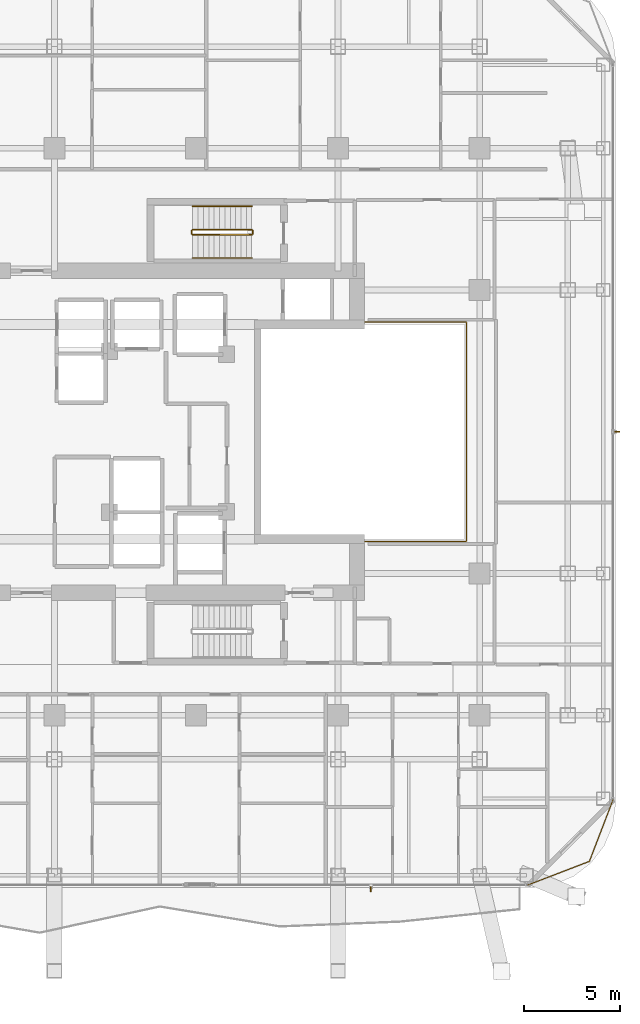
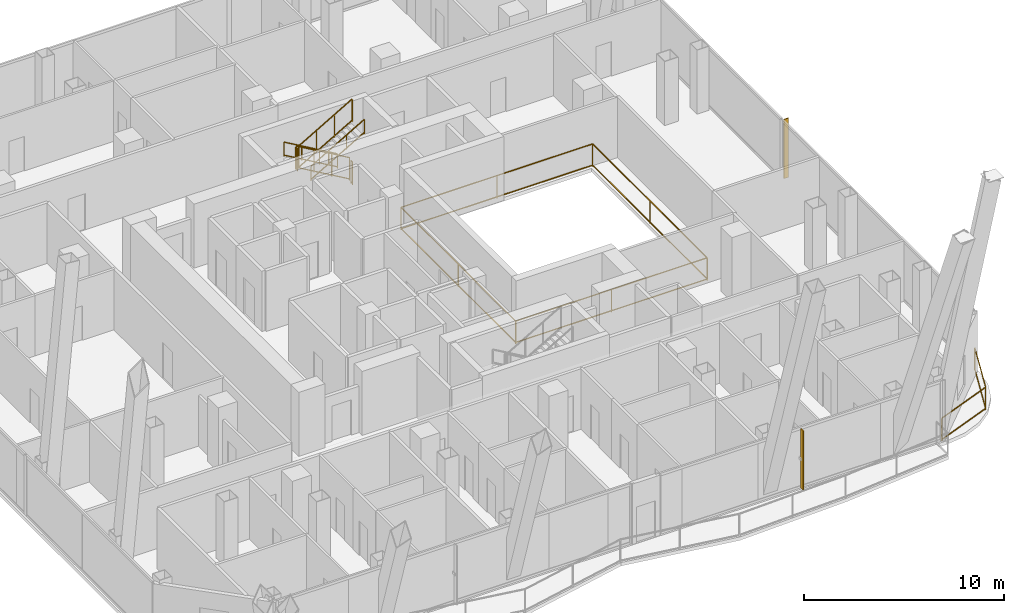
# One storey, part 31 of 34: 8 railings, 2 shading devices.
"""IFC4 building model written with IfcOpenShell, lengths in metres."""

from ifc_helpers import new_model, si_unit, direction, frame, origin, origin_2d, place, context, subcontext, project, spatial, rectangle, extrude, material, layer, layer_set, type_object, element, save


model = new_model("IFC4")

# Units and contexts
model_context = context("Model", 3, precision=1e-05, world=origin(), true_north=direction((0.0, 1.0)))
body_context = subcontext(model_context, "Body", "Model", "MODEL_VIEW")
ifc_project = project(units=[si_unit("LENGTHUNIT", "METRE"), si_unit("AREAUNIT", "SQUARE_METRE"), si_unit("VOLUMEUNIT", "CUBIC_METRE"), si_unit("PLANEANGLEUNIT", "RADIAN"), si_unit("MASSUNIT", "GRAM", prefix="KILO")], contexts=[model_context])

# Site, building, storey
site_placement = place(None, origin())
site = spatial("IfcSite", under=ifc_project, at=site_placement, CompositionType="ELEMENT")
building_placement = place(site_placement, origin())
building = spatial("IfcBuilding", under=site, at=building_placement, Name="Khorvyn Point Tower", CompositionType="ELEMENT")
storey_placement = place(building_placement, frame((0.0, 0.0, 175.800048828125)))
storey = spatial("IfcBuildingStorey", under=building, at=storey_placement, Name="L43", CompositionType="ELEMENT", Elevation=175.800048828125)

# Railings
ifc_material_1 = material(Name="Stainless steel 1.4401 and laminated glass", Category="steel")
railing_type_1 = type_object("IfcRailingType", Name="Crystal Atrium Smoke-Rated Perimeter Guardrail 1400", PredefinedType="GUARDRAIL", material=ifc_material_1)
railing_1_placement = place(storey_placement, frame((3.080078125, -5.719970703125, 0.0)))
element("IfcRailing", 1, at=railing_1_placement, inside=storey, type_object=railing_type_1, Name="L43 Crystal Atrium Perimeter Guardrail", PredefinedType="GUARDRAIL", context=body_context, shape_type="SweptSolid", body=[
    extrude(rectangle(XDim=0.048095703125, YDim=0.048095703125, at=origin_2d()), frame((0.0, 0.0, 1.3759765625), z_axis=(1.0, 0.0, 0.0), x_axis=(0.0, 1.0, 0.0)), (0.0, 0.0, 1.0), 11.0400390625),
    extrude(rectangle(XDim=0.048095703125, YDim=0.048095703125, at=origin_2d()), frame((0.0, 0.0, 0.080078125), z_axis=(1.0, 0.0, 0.0), x_axis=(0.0, 1.0, 0.0)), (0.0, 0.0, 1.0), 11.0400390625),
    extrude(rectangle(XDim=0.048095703125, YDim=0.048095703125, at=origin_2d()), frame((11.0400390625, 0.0, 1.3759765625), z_axis=(0.0, 1.0, 0.0), x_axis=(-1.0, 0.0, 0.0)), (0.0, 0.0, 1.0), 11.43994140625),
    extrude(rectangle(XDim=0.048095703125, YDim=0.048095703125, at=origin_2d()), frame((11.0400390625, 0.0, 0.080078125), z_axis=(0.0, 1.0, 0.0), x_axis=(-1.0, 0.0, 0.0)), (0.0, 0.0, 1.0), 11.43994140625),
    extrude(rectangle(XDim=0.048095703125, YDim=0.048095703125, at=origin_2d()), frame((11.0400390625, 11.43994140625, 1.3759765625), z_axis=(-1.0, 0.0, 0.0), x_axis=(0.0, -1.0, 0.0)), (0.0, 0.0, 1.0), 11.0400390625),
    extrude(rectangle(XDim=0.048095703125, YDim=0.048095703125, at=origin_2d()), frame((11.0400390625, 11.43994140625, 0.080078125), z_axis=(-1.0, 0.0, 0.0), x_axis=(0.0, -1.0, 0.0)), (0.0, 0.0, 1.0), 11.0400390625),
    extrude(rectangle(XDim=0.048095703125, YDim=0.048095703125, at=origin_2d()), frame((0.0, 11.43994140625, 1.3759765625), z_axis=(0.0, -1.0, 0.0), x_axis=(1.0, 0.0, 0.0)), (0.0, 0.0, 1.0), 11.409912109375),
    extrude(rectangle(XDim=0.048095703125, YDim=0.048095703125, at=origin_2d()), frame((0.0, 11.43994140625, 0.080078125), z_axis=(0.0, -1.0, 0.0), x_axis=(1.0, 0.0, 0.0)), (0.0, 0.0, 1.0), 11.409912109375),
    extrude(rectangle(XDim=0.0419921875, YDim=0.0419921875, at=origin_2d()), origin(), (0.0, 0.0, 1.0), 1.351806640625),
    extrude(rectangle(XDim=0.0419921875, YDim=0.0419921875, at=origin_2d()), frame((5.52001953125, 0.0, 0.0)), (0.0, 0.0, 1.0), 1.351806640625),
    extrude(rectangle(XDim=0.0419921875, YDim=0.0419921875, at=origin_2d()), frame((11.0400390625, 0.0, 0.0)), (0.0, 0.0, 1.0), 1.351806640625),
    extrude(rectangle(XDim=0.0419921875, YDim=0.0419921875, at=origin_2d()), frame((11.0400390625, 5.719970703125, 0.0)), (0.0, 0.0, 1.0), 1.351806640625),
    extrude(rectangle(XDim=0.0419921875, YDim=0.0419921875, at=origin_2d()), frame((11.0400390625, 11.43994140625, 0.0)), (0.0, 0.0, 1.0), 1.351806640625),
    extrude(rectangle(XDim=0.0419921875, YDim=0.0419921875, at=origin_2d()), frame((5.52001953125, 11.43994140625, 0.0)), (0.0, 0.0, 1.0), 1.351806640625),
    extrude(rectangle(XDim=0.0419921875, YDim=0.0419921875, at=origin_2d()), frame((0.0, 11.43994140625, 0.0)), (0.0, 0.0, 1.0), 1.351806640625),
    extrude(rectangle(XDim=0.0419921875, YDim=0.0419921875, at=origin_2d()), frame((0.0, 5.73486328125, 0.0)), (0.0, 0.0, 1.0), 1.351806640625),
    extrude(rectangle(XDim=0.0419921875, YDim=0.0419921875, at=origin_2d()), frame((0.0, 0.030029296875, 0.0)), (0.0, 0.0, 1.0), 1.351806640625),
])
ifc_material_2 = material(Name="Anodised aluminium 6063-T6 and laminated safety glass", Category="aluminium")
railing_type_2 = type_object("IfcRailingType", Name="Laminated Glass and Aluminium Balcony Guardrail 1400", PredefinedType="BALUSTRADE", material=ifc_material_2)
railing_2_placement = place(storey_placement, frame((17.27587890625, -23.674072265625, 0.0)))
element("IfcRailing", 2, at=railing_2_placement, inside=storey, type_object=railing_type_2, Name="L43 Rounded Corner Edge Guardrail SE", PredefinedType="BALUSTRADE", context=body_context, shape_type="SweptSolid", body=[
    extrude(rectangle(XDim=0.048095703125, YDim=0.048095703125, at=origin_2d()), frame((0.0, 0.0, 1.3759765625), z_axis=(0.933598390295, 0.358321148746, 0.0), x_axis=(-0.358321148746, 0.933598390295, 0.0)), (0.0, 0.0, 1.0), 3.481689453125),
    extrude(rectangle(XDim=0.048095703125, YDim=0.048095703125, at=origin_2d()), frame((0.0, 0.0, 0.080078125), z_axis=(0.933598390295, 0.358321148746, 0.0), x_axis=(-0.358321148746, 0.933598390295, 0.0)), (0.0, 0.0, 1.0), 3.481689453125),
    extrude(rectangle(XDim=0.048095703125, YDim=0.048095703125, at=origin_2d()), frame((3.25048828125, 1.24755859375, 1.3759765625), z_axis=(0.358382264808, 0.933574931257, 0.0), x_axis=(-0.933574931257, 0.358382264808, 0.0)), (0.0, 0.0, 1.0), 3.481689453125),
    extrude(rectangle(XDim=0.048095703125, YDim=0.048095703125, at=origin_2d()), frame((3.25048828125, 1.24755859375, 0.080078125), z_axis=(0.358382264808, 0.933574931257, 0.0), x_axis=(-0.933574931257, 0.358382264808, 0.0)), (0.0, 0.0, 1.0), 3.481689453125),
    extrude(rectangle(XDim=0.0419921875, YDim=0.0419921875, at=origin_2d()), origin(), (0.0, 0.0, 1.0), 1.351806640625),
    extrude(rectangle(XDim=0.0419921875, YDim=0.0419921875, at=origin_2d()), frame((3.25048828125, 1.24755859375, 0.0)), (0.0, 0.0, 1.0), 1.351806640625),
    extrude(rectangle(XDim=0.0419921875, YDim=0.0419921875, at=origin_2d()), frame((4.498291015625, 4.498046875, 0.0)), (0.0, 0.0, 1.0), 1.351806640625),
])

# Shading devices
ifc_material_3 = material(Name="Pale anodised aluminium 6063-T6", Category="aluminium")
ifc_layer = layer(ifc_material_3, 0.054931640625)
ifc_layer_set = layer_set([ifc_layer], Name="Pale Anodised Aluminium FIN 260x55")
shading_device_type = type_object("IfcShadingDeviceType", Name="Pale Anodised Aluminium FIN 260x55", PredefinedType="USERDEFINED", material=ifc_layer_set)
for number, where, z_axis, x_axis, name in (
    (3, (9.12353515625, -23.8701171875, 0.039794921875), (0.0, 0.0, 1.0), (0.0, -1.0, 0.0), "L43 Anodised FIN 01"),
    (4, (21.969970703125, 0.0, 0.039794921875), (0.0, 0.0, 1.0), (1.0, 0.0, 0.0), "L43 Anodised FIN 01"),
):
    element("IfcShadingDevice", number, at=place(storey_placement, frame(where, z_axis=z_axis, x_axis=x_axis)), inside=storey, type_object=shading_device_type, Name=name, ObjectType="FIN", PredefinedType="USERDEFINED", context=body_context, shape_type="SweptSolid", body=[
        extrude(rectangle(XDim=0.260009765625, YDim=0.054931640625, at=origin_2d()), origin(), (0.0, 0.0, 1.0), 3.60009765625),
    ])

# Railings
ifc_material_4 = material(Name="Stainless steel 1.4301", Category="steel")
railing_type_3 = type_object("IfcRailingType", Name="Stainless Steel 304 Stair Pitch Handrail 900", PredefinedType="HANDRAIL", material=ifc_material_4)
railing_3_placement = place(storey_placement, frame((2.89990234375, 11.77001953125, 0.162353515625)))
element("IfcRailing", 5, at=railing_3_placement, inside=storey, type_object=railing_type_3, Name="L43 ST-02 stair handrail 1", PredefinedType="HANDRAIL", context=body_context, shape_type="SweptSolid", body=[
    extrude(rectangle(XDim=0.048095703125, YDim=0.048095703125, at=origin_2d()), frame((0.0, 0.0, 0.8759765625), z_axis=(-0.864873446163, 0.0, 0.501989962173), x_axis=(0.0, -1.0, 0.0)), (0.0, 0.0, 1.0), 3.56103515625),
    extrude(rectangle(XDim=0.048095703125, YDim=0.048095703125, at=origin_2d()), frame((0.0, 0.0, 0.080078125), z_axis=(-0.864873446163, 0.0, 0.501989962173), x_axis=(0.0, -1.0, 0.0)), (0.0, 0.0, 1.0), 3.56103515625),
    extrude(rectangle(XDim=0.0419921875, YDim=0.0419921875, at=origin_2d()), origin(), (0.0, 0.0, 1.0), 0.851806640625),
    extrude(rectangle(XDim=0.0419921875, YDim=0.0419921875, at=origin_2d()), frame((-1.026611328125, 0.0, 0.595947265625)), (0.0, 0.0, 1.0), 0.851806640625),
    extrude(rectangle(XDim=0.0419921875, YDim=0.0419921875, at=origin_2d()), frame((-2.05322265625, 0.0, 1.191650390625)), (0.0, 0.0, 1.0), 0.851806640625),
    extrude(rectangle(XDim=0.0419921875, YDim=0.0419921875, at=origin_2d()), frame((-3.079833984375, 0.0, 1.78759765625)), (0.0, 0.0, 1.0), 0.851806640625),
])
railing_4_placement = place(storey_placement, frame((-0.179931640625, 9.070068359375, 2.112548828125)))
element("IfcRailing", 6, at=railing_4_placement, inside=storey, type_object=railing_type_3, Name="L43 ST-02 stair handrail 2", PredefinedType="HANDRAIL", context=body_context, shape_type="SweptSolid", body=[
    extrude(rectangle(XDim=0.048095703125, YDim=0.048095703125, at=origin_2d()), frame((0.0, 0.0, 0.8759765625), z_axis=(0.864903211148, 0.0, 0.501938676878), x_axis=(0.0, 1.0, 0.0)), (0.0, 0.0, 1.0), 3.560791015625),
    extrude(rectangle(XDim=0.048095703125, YDim=0.048095703125, at=origin_2d()), frame((0.0, 0.0, 0.080078125), z_axis=(0.864903211148, 0.0, 0.501938676878), x_axis=(0.0, 1.0, 0.0)), (0.0, 0.0, 1.0), 3.560791015625),
    extrude(rectangle(XDim=0.0419921875, YDim=0.0419921875, at=origin_2d()), origin(), (0.0, 0.0, 1.0), 0.851806640625),
    extrude(rectangle(XDim=0.0419921875, YDim=0.0419921875, at=origin_2d()), frame((1.026611328125, 0.0, 0.595703125)), (0.0, 0.0, 1.0), 0.851806640625),
    extrude(rectangle(XDim=0.0419921875, YDim=0.0419921875, at=origin_2d()), frame((2.05322265625, 0.0, 1.191650390625)), (0.0, 0.0, 1.0), 0.851806640625),
    extrude(rectangle(XDim=0.0419921875, YDim=0.0419921875, at=origin_2d()), frame((3.079833984375, 0.0, 1.787353515625)), (0.0, 0.0, 1.0), 0.851806640625),
])
railing_type_4 = type_object("IfcRailingType", Name="Stainless Steel 304 Stair Well Guardrail 1400", PredefinedType="GUARDRAIL", material=ifc_material_4)
railing_5_placement = place(storey_placement, frame((2.89990234375, 10.550048828125, 0.162353515625)))
element("IfcRailing", 7, at=railing_5_placement, inside=storey, type_object=railing_type_4, Name="L43 ST-02 stair guard 1", PredefinedType="GUARDRAIL", context=body_context, shape_type="SweptSolid", body=[
    extrude(rectangle(XDim=0.048095703125, YDim=0.048095703125, at=origin_2d()), frame((0.0, 0.0, 1.3759765625), z_axis=(-0.864873446163, 0.0, 0.501989962173), x_axis=(0.0, -1.0, 0.0)), (0.0, 0.0, 1.0), 3.56103515625),
    extrude(rectangle(XDim=0.048095703125, YDim=0.048095703125, at=origin_2d()), frame((0.0, 0.0, 0.080078125), z_axis=(-0.864873446163, 0.0, 0.501989962173), x_axis=(0.0, -1.0, 0.0)), (0.0, 0.0, 1.0), 3.56103515625),
    extrude(rectangle(XDim=0.0419921875, YDim=0.0419921875, at=origin_2d()), origin(), (0.0, 0.0, 1.0), 1.351806640625),
    extrude(rectangle(XDim=0.0419921875, YDim=0.0419921875, at=origin_2d()), frame((-1.026611328125, 0.0, 0.595947265625)), (0.0, 0.0, 1.0), 1.351806640625),
    extrude(rectangle(XDim=0.0419921875, YDim=0.0419921875, at=origin_2d()), frame((-2.05322265625, 0.0, 1.191650390625)), (0.0, 0.0, 1.0), 1.351806640625),
    extrude(rectangle(XDim=0.0419921875, YDim=0.0419921875, at=origin_2d()), frame((-3.079833984375, 0.0, 1.78759765625)), (0.0, 0.0, 1.0), 1.351806640625),
])
railing_6_placement = place(storey_placement, frame((-0.22998046875, 10.5, 1.949951171875)))
element("IfcRailing", 8, at=railing_6_placement, inside=storey, type_object=railing_type_4, Name="L43 ST-02 stair guard 2", PredefinedType="GUARDRAIL", context=body_context, shape_type="SweptSolid", body=[
    extrude(rectangle(XDim=0.048095703125, YDim=0.048095703125, at=origin_2d()), frame((0.0, 0.0, 1.3759765625), z_axis=(0.0, -1.0, 0.0), x_axis=(1.0, 0.0, 0.0)), (0.0, 0.0, 1.0), 0.159912109375),
    extrude(rectangle(XDim=0.048095703125, YDim=0.048095703125, at=origin_2d()), frame((0.0, 0.0, 0.080078125), z_axis=(0.0, -1.0, 0.0), x_axis=(1.0, 0.0, 0.0)), (0.0, 0.0, 1.0), 0.159912109375),
    extrude(rectangle(XDim=0.0419921875, YDim=0.0419921875, at=origin_2d()), origin(), (0.0, 0.0, 1.0), 1.351806640625),
    extrude(rectangle(XDim=0.0419921875, YDim=0.0419921875, at=origin_2d()), frame((0.0, -0.159912109375, 0.0)), (0.0, 0.0, 1.0), 1.351806640625),
])
railing_7_placement = place(storey_placement, frame((-0.179931640625, 10.2900390625, 2.112548828125)))
element("IfcRailing", 9, at=railing_7_placement, inside=storey, type_object=railing_type_4, Name="L43 ST-02 stair guard 3", PredefinedType="GUARDRAIL", context=body_context, shape_type="SweptSolid", body=[
    extrude(rectangle(XDim=0.048095703125, YDim=0.048095703125, at=origin_2d()), frame((0.0, 0.0, 1.3759765625), z_axis=(0.864903211148, 0.0, 0.501938676878), x_axis=(0.0, 1.0, 0.0)), (0.0, 0.0, 1.0), 3.560791015625),
    extrude(rectangle(XDim=0.048095703125, YDim=0.048095703125, at=origin_2d()), frame((0.0, 0.0, 0.080078125), z_axis=(0.864903211148, 0.0, 0.501938676878), x_axis=(0.0, 1.0, 0.0)), (0.0, 0.0, 1.0), 3.560791015625),
    extrude(rectangle(XDim=0.0419921875, YDim=0.0419921875, at=origin_2d()), origin(), (0.0, 0.0, 1.0), 1.351806640625),
    extrude(rectangle(XDim=0.0419921875, YDim=0.0419921875, at=origin_2d()), frame((1.026611328125, 0.0, 0.595703125)), (0.0, 0.0, 1.0), 1.351806640625),
    extrude(rectangle(XDim=0.0419921875, YDim=0.0419921875, at=origin_2d()), frame((2.05322265625, 0.0, 1.191650390625)), (0.0, 0.0, 1.0), 1.351806640625),
    extrude(rectangle(XDim=0.0419921875, YDim=0.0419921875, at=origin_2d()), frame((3.079833984375, 0.0, 1.787353515625)), (0.0, 0.0, 1.0), 1.351806640625),
])
railing_8_placement = place(storey_placement, frame((2.949951171875, 10.5, 0.0)))
element("IfcRailing", 10, at=railing_8_placement, inside=storey, type_object=railing_type_4, Name="L43 ST-02 stair guard 4", PredefinedType="GUARDRAIL", context=body_context, shape_type="SweptSolid", body=[
    extrude(rectangle(XDim=0.048095703125, YDim=0.048095703125, at=origin_2d()), frame((0.0, 0.0, 1.3759765625), z_axis=(0.0, -1.0, 0.0), x_axis=(1.0, 0.0, 0.0)), (0.0, 0.0, 1.0), 0.159912109375),
    extrude(rectangle(XDim=0.048095703125, YDim=0.048095703125, at=origin_2d()), frame((0.0, 0.0, 0.080078125), z_axis=(0.0, -1.0, 0.0), x_axis=(1.0, 0.0, 0.0)), (0.0, 0.0, 1.0), 0.159912109375),
    extrude(rectangle(XDim=0.0419921875, YDim=0.0419921875, at=origin_2d()), origin(), (0.0, 0.0, 1.0), 1.351806640625),
    extrude(rectangle(XDim=0.0419921875, YDim=0.0419921875, at=origin_2d()), frame((0.0, -0.159912109375, 0.0)), (0.0, 0.0, 1.0), 1.351806640625),
])

save(model, "model.ifc")
